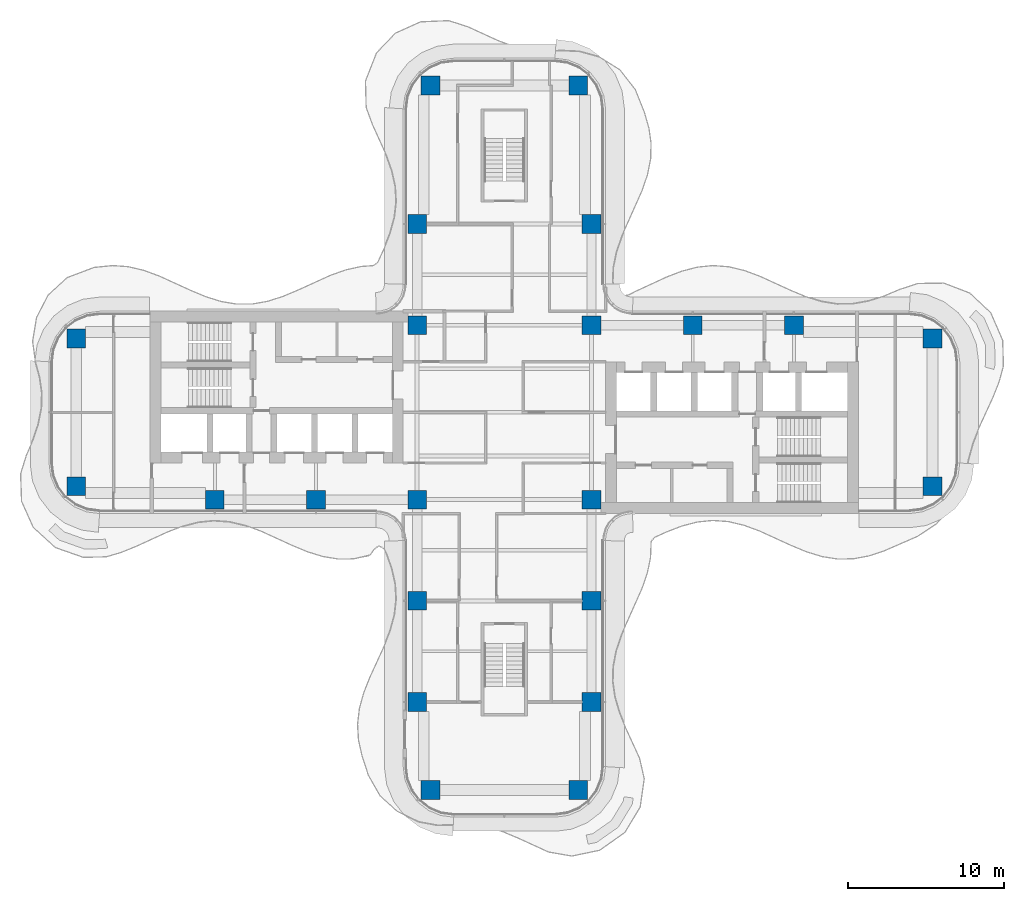
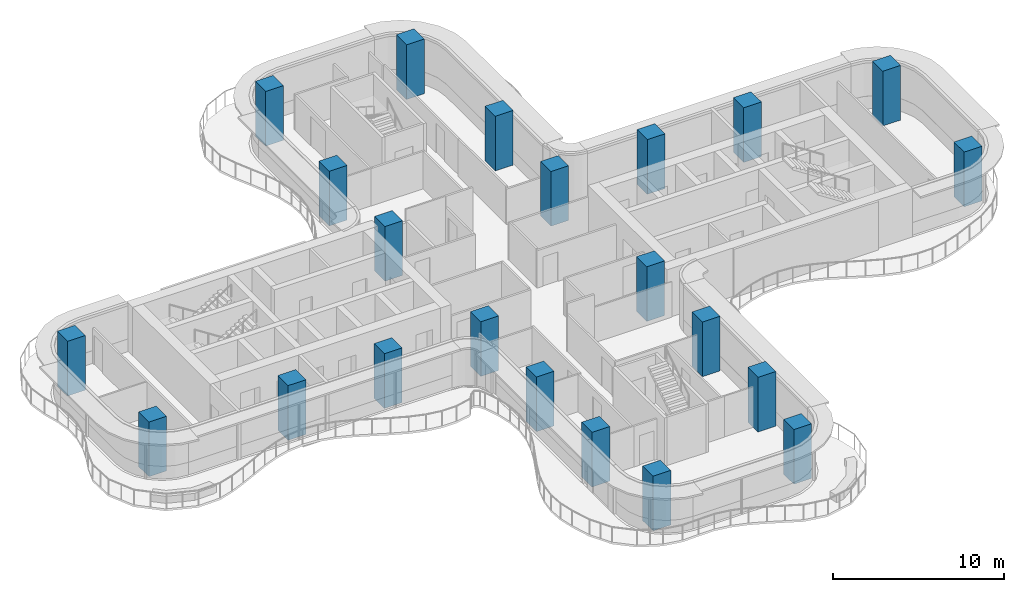
# One storey, part 1 of 17: 22 columns.
"""IFC4 building model written with IfcOpenShell, lengths in metres."""

from ifc_helpers import new_model, si_unit, direction, frame, origin, origin_2d, place, context, subcontext, project, spatial, rectangle, extrude, source, transform, mapped, material, material_profile, profile_set, type_object, element, save


model = new_model("IFC4")

# Units and contexts
model_context = context("Model", 3, precision=1e-05, world=origin(), true_north=direction((0.0, 1.0)))
body_context = subcontext(model_context, "Body", "Model", "MODEL_VIEW")
ifc_project = project(units=[si_unit("LENGTHUNIT", "METRE"), si_unit("AREAUNIT", "SQUARE_METRE"), si_unit("VOLUMEUNIT", "CUBIC_METRE"), si_unit("PLANEANGLEUNIT", "RADIAN"), si_unit("MASSUNIT", "GRAM", prefix="KILO")], contexts=[model_context])

# Site, building, storey
site_placement = place(None, origin())
site = spatial("IfcSite", under=ifc_project, at=site_placement, CompositionType="ELEMENT")
building_placement = place(site_placement, origin())
building = spatial("IfcBuilding", under=site, at=building_placement, Name="Trellis Farm Tower", CompositionType="ELEMENT")
storey_placement = place(building_placement, frame((0.0, 0.0, 208.800048828125)))
storey = spatial("IfcBuildingStorey", under=building, at=storey_placement, Name="L46", CompositionType="ELEMENT", Elevation=208.800048828125)

# Columns
ifc_material = material(Name="Concrete C70/85", Category="concrete")
ifc_material_profile = material_profile(ifc_material, rectangle(XDim=1.199951171875, YDim=1.199951171875, at=origin_2d()), Name="RC column 1200x1200 C70/85")
ifc_profile_set = profile_set([ifc_material_profile], Name="Concrete C70/85")
column_type = type_object("IfcColumnType", Name="RC column 1200x1200 C70/85", PredefinedType="COLUMN", material=ifc_profile_set)
shared_shape = source(origin(), body_context, "Body", "SweptSolid", [
    extrude(rectangle(XDim=1.199951171875, YDim=1.199951171875, at=origin_2d()), origin(), (0.0, 0.0, 1.0), 3.89990234375),
])
for number, where, z_axis, x_axis, name in (
    (1, (12.10009765625, 5.60009765625, 0.0), (0.0, 0.0, 1.0), (1.0, 0.0, 0.0), "Column"),
    (2, (18.60009765625, 5.60009765625, 0.0), (0.0, 0.0, 1.0), (1.0, 0.0, 0.0), "Column"),
    (3, (27.5, 4.75, 0.0), (0.0, 0.0, 1.0), (1.0, 0.0, 0.0), "Column"),
    (4, (27.5, -4.75, 0.0), (0.0, 0.0, 1.0), (1.0, 0.0, 0.0), "Column"),
    (5, (-5.60009765625, 12.10009765625, 0.0), (0.0, 0.0, 1.0), (1.0, 0.0, 0.0), "Column"),
    (6, (-4.75, 21.0, 0.0), (0.0, 0.0, 1.0), (1.0, 0.0, 0.0), "Column"),
    (7, (5.60009765625, 12.10009765625, 0.0), (0.0, 0.0, 1.0), (1.0, 0.0, 0.0), "Column"),
    (8, (4.75, 21.0, 0.0), (0.0, 0.0, 1.0), (1.0, 0.0, 0.0), "Column"),
    (9, (5.60009765625, 5.60009765625, 0.0), (0.0, 0.0, 1.0), (1.0, 0.0, 0.0), "Column"),
    (10, (-5.60009765625, 5.60009765625, 0.0), (0.0, 0.0, 1.0), (1.0, 0.0, 0.0), "Column"),
    (11, (5.60009765625, -5.60009765625, 0.0), (0.0, 0.0, 1.0), (1.0, 0.0, 0.0), "Column"),
    (12, (-5.60009765625, -5.60009765625, 0.0), (0.0, 0.0, 1.0), (1.0, 0.0, 0.0), "Column"),
    (13, (5.60009765625, -12.10009765625, 0.0), (0.0, 0.0, 1.0), (1.0, 0.0, 0.0), "Column"),
    (14, (5.60009765625, -18.60009765625, 0.0), (0.0, 0.0, 1.0), (1.0, 0.0, 0.0), "Column"),
    (15, (4.75, -24.25, 0.0), (0.0, 0.0, 1.0), (1.0, 0.0, 0.0), "Column"),
    (16, (-5.60009765625, -12.10009765625, 0.0), (0.0, 0.0, 1.0), (1.0, 0.0, 0.0), "Column"),
    (17, (-5.60009765625, -18.60009765625, 0.0), (0.0, 0.0, 1.0), (1.0, 0.0, 0.0), "Column"),
    (18, (-4.75, -24.25, 0.0), (0.0, 0.0, 1.0), (1.0, 0.0, 0.0), "Column"),
    (19, (-12.10009765625, -5.60009765625, 0.0), (0.0, 0.0, 1.0), (1.0, 0.0, 0.0), "Column"),
    (20, (-18.60009765625, -5.60009765625, 0.0), (0.0, 0.0, 1.0), (1.0, 0.0, 0.0), "Column"),
    (21, (-27.5, -4.75, 0.0), (0.0, 0.0, 1.0), (1.0, 0.0, 0.0), "Column"),
    (22, (-27.5, 4.75, 0.0), (0.0, 0.0, 1.0), (1.0, 0.0, 0.0), "Column"),
):
    element("IfcColumn", number, at=place(storey_placement, frame(where, z_axis=z_axis, x_axis=x_axis)), inside=storey, type_object=column_type, Name=name, PredefinedType="COLUMN", context=body_context, shape_type="MappedRepresentation", body=[
        mapped(shared_shape, transform((0.0, 0.0, 0.0))),
    ])

save(model, "model.ifc")
